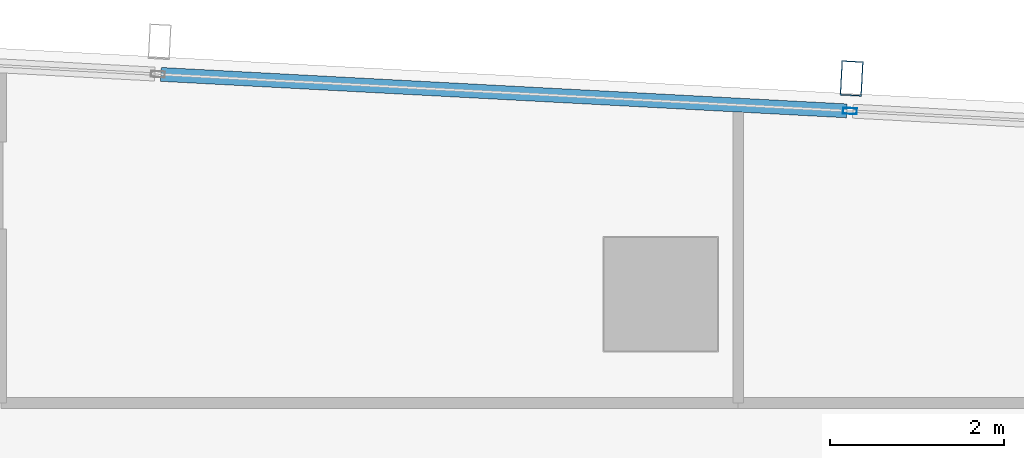
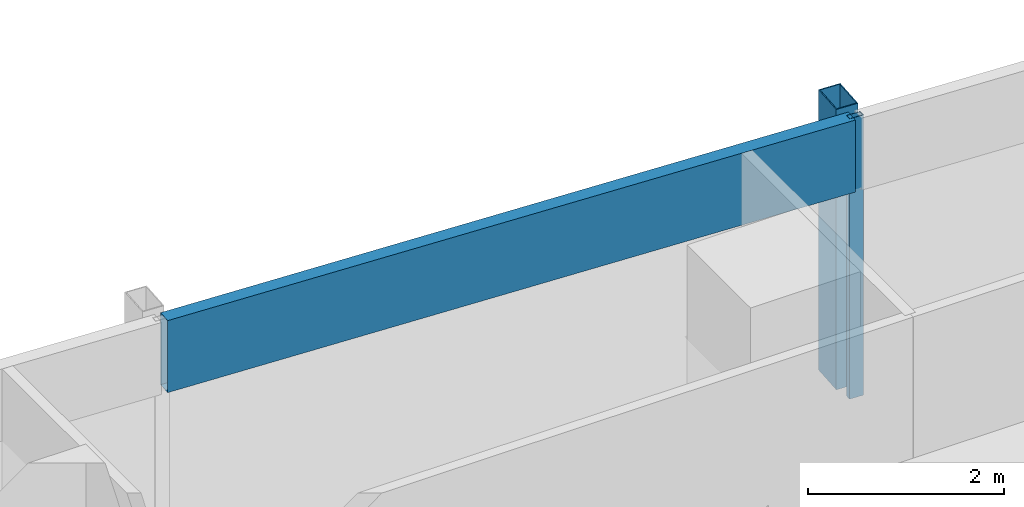
# One storey, part 15 of 26: 3 members, 1 element without a shape of its own.
"""IFC4 building model written with IfcOpenShell, lengths in metres."""

from ifc_helpers import new_model, si_unit, direction, frame, origin, origin_2d, place, context, subcontext, project, spatial, hollow_rectangle, extrude, material, material_profile, profile_set, type_object, element, aggregate, save


model = new_model("IFC4")

# Units and contexts
model_context = context("Model", 3, precision=1e-05, world=origin(), true_north=direction((0.0, 1.0)))
body_context = subcontext(model_context, "Body", "Model", "MODEL_VIEW")
ifc_project = project(units=[si_unit("LENGTHUNIT", "METRE"), si_unit("AREAUNIT", "SQUARE_METRE"), si_unit("VOLUMEUNIT", "CUBIC_METRE"), si_unit("PLANEANGLEUNIT", "RADIAN"), si_unit("MASSUNIT", "GRAM", prefix="KILO")], contexts=[model_context])

# Site, building, storey
site_placement = place(None, origin())
site = spatial("IfcSite", under=ifc_project, at=site_placement, CompositionType="ELEMENT")
building_placement = place(site_placement, origin())
building = spatial("IfcBuilding", under=site, at=building_placement, Name="Rekha Terrace Tower", CompositionType="ELEMENT")
storey_placement = place(building_placement, frame((0.0, 0.0, 283.85009765625)))
storey = spatial("IfcBuildingStorey", under=building, at=storey_placement, Name="L72", CompositionType="ELEMENT", Elevation=283.85009765625)

# Curtain wall, members
ifc_material_1 = material(Name="Aluminium framing", Category="aluminium")
curtain_wall_type = type_object("IfcCurtainWallType", Name="CW3 north unitised glazing", PredefinedType="USERDEFINED", material=ifc_material_1)
curtain_wall_placement = place(storey_placement, origin())
curtain_wall = element("IfcCurtainWall", 1, at=curtain_wall_placement, inside=storey, type_object=curtain_wall_type, Name="CW3 unitised curtain wall", ObjectType="UNITISED CURTAIN WALL", PredefinedType="USERDEFINED")
ifc_material_2 = material(Name="Steel S355 with fluorocarbon finish", Category="steel")
ifc_material_profile_1 = material_profile(ifc_material_2, hollow_rectangle(XDim=0.25, YDim=0.39990234375, WallThickness=0.012451171875, at=origin_2d()), Name="RHS400x250x12.5")
ifc_profile_set_1 = profile_set([ifc_material_profile_1], Name="Steel S355 with fluorocarbon finish")
member_type_1 = type_object("IfcMemberType", Name="BL1 facade blade RHS 400 x 250", PredefinedType="USERDEFINED", material=ifc_profile_set_1)
member_1_placement = place(storey_placement, frame((44.192626953125, 52.87890625, 0.0), z_axis=(0.0, 0.0, 1.0), x_axis=(-0.998590068481, 0.053083661621, 0.0)))
member_1 = element("IfcMember", 2, at=member_1_placement, type_object=member_type_1, Name="Facade blade", ObjectType="FACADE BLADE", PredefinedType="USERDEFINED", context=body_context, shape_type="SweptSolid", body=[
    extrude(hollow_rectangle(XDim=0.25, YDim=0.39990234375, WallThickness=0.012451171875, at=origin_2d()), origin(), (0.0, 0.0, 1.0), 3.5),
])
ifc_material_3 = material(Name="Aluminium mullion section", Category="aluminium")
ifc_material_profile_2 = material_profile(ifc_material_3, hollow_rectangle(XDim=0.070068359375, YDim=0.159912109375, WallThickness=0.00390625, at=origin_2d()), Name="AL RHS 70x160")
ifc_profile_set_2 = profile_set([ifc_material_profile_2], Name="Aluminium mullion section")
member_type_2 = type_object("IfcMemberType", Name="CW3 mullion RHS 70 x 160", PredefinedType="MULLION", material=ifc_profile_set_2)
member_2_placement = place(storey_placement, frame((44.1728515625, 52.50439453125, 0.0), z_axis=(0.0, 0.0, 1.0), x_axis=(-0.053083275524, -0.998590089005, 0.0)))
member_2 = element("IfcMember", 3, at=member_2_placement, type_object=member_type_2, Name="CW3 mullion 3", PredefinedType="MULLION", context=body_context, shape_type="SweptSolid", body=[
    extrude(hollow_rectangle(XDim=0.070068359375, YDim=0.159912109375, WallThickness=0.00390625, at=origin_2d()), origin(), (0.0, 0.0, 1.0), 3.5),
])
ifc_material_4 = material(Name="Insulated aluminium spandrel box", Category="aluminium")
ifc_material_profile_3 = material_profile(ifc_material_4, hollow_rectangle(XDim=0.159912109375, YDim=0.89990234375, WallThickness=0.0029296875, at=origin_2d()), Name="AL SPANDREL BOX 160x900")
ifc_profile_set_3 = profile_set([ifc_material_profile_3], Name="Insulated aluminium spandrel box")
member_type_3 = type_object("IfcMemberType", Name="CW3 spandrel transom 160 x 900", PredefinedType="USERDEFINED", material=ifc_profile_set_3)
member_3_placement = place(storey_placement, frame((44.137939453125, 52.506103515625, 3.0498046875), z_axis=(-0.998589828491, 0.053088176024, 0.0), x_axis=(-0.053088176024, -0.998589828491, 0.0)))
member_3 = element("IfcMember", 4, at=member_3_placement, type_object=member_type_3, Name="CW3 spandrel transom 3", ObjectType="TRANSOM", PredefinedType="USERDEFINED", context=body_context, shape_type="SweptSolid", body=[
    extrude(hollow_rectangle(XDim=0.159912109375, YDim=0.89990234375, WallThickness=0.0029296875, at=origin_2d()), origin(), (0.0, 0.0, 1.0), 7.8916015625),
])
aggregate(curtain_wall, [member_2, member_3, member_1])

save(model, "model.ifc")
